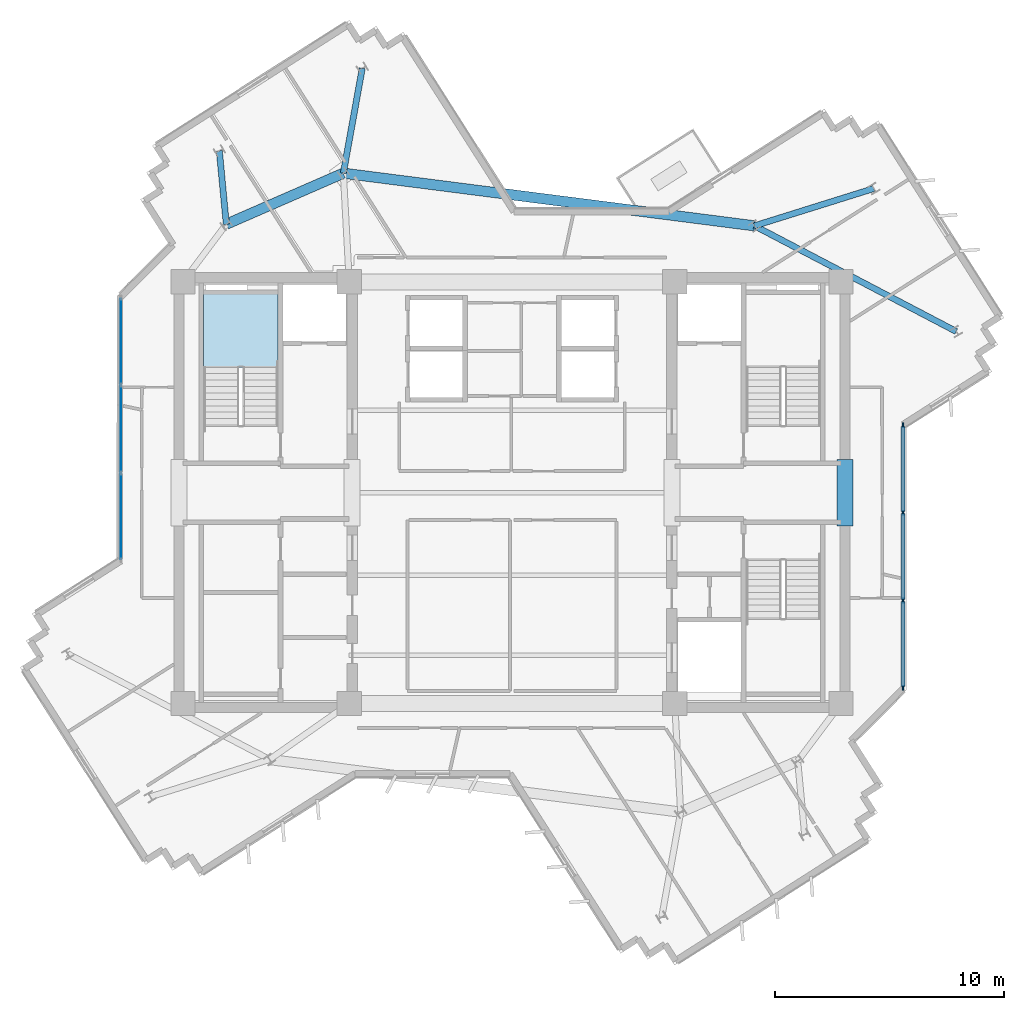
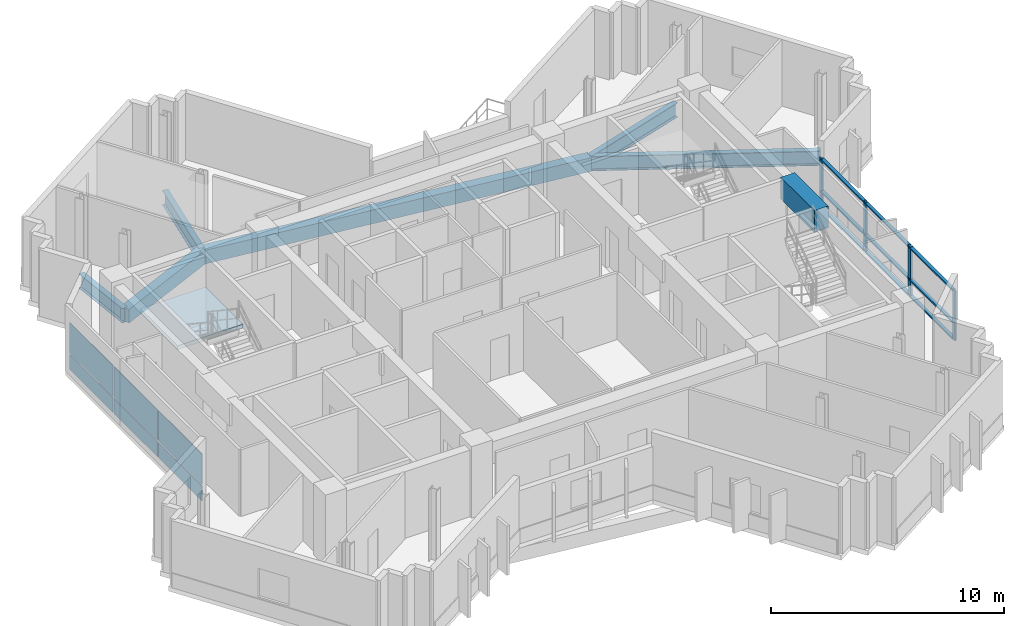
# One storey, part 3 of 12: 13 members, 7 beams, 6 plates, 1 slab, 3 elements without a shape of their own.
"""IFC4 building model written with IfcOpenShell, lengths in metres."""

from ifc_helpers import new_model, si_unit, direction, frame, origin, origin_2d, place, context, subcontext, project, spatial, polyline, rectangle, i_section, outline, extrude, source, transform, mapped, material, layer, layer_set, material_profile, profile_set, type_object, element, aggregate, save


model = new_model("IFC4")

# Units and contexts
model_context = context("Model", 3, precision=1e-05, world=origin(), true_north=direction((0.0, 1.0)))
body_context = subcontext(model_context, "Body", "Model", "MODEL_VIEW")
ifc_project = project(units=[si_unit("LENGTHUNIT", "METRE"), si_unit("AREAUNIT", "SQUARE_METRE"), si_unit("VOLUMEUNIT", "CUBIC_METRE"), si_unit("PLANEANGLEUNIT", "RADIAN"), si_unit("MASSUNIT", "GRAM", prefix="KILO")], contexts=[model_context])

# Site, building, storey
site_placement = place(None, origin())
site = spatial("IfcSite", under=ifc_project, at=site_placement, CompositionType="ELEMENT")
building_placement = place(site_placement, origin())
building = spatial("IfcBuilding", under=site, at=building_placement, Name="Zahravan Cultural Tower", CompositionType="ELEMENT")
storey_placement = place(building_placement, frame((0.0, 0.0, 261.60009765625)))
storey = spatial("IfcBuildingStorey", under=building, at=storey_placement, Name="L62", CompositionType="ELEMENT", Elevation=261.60009765625)

# Beams
ifc_material_1 = material(Name="Concrete C50/60", Category="concrete")
ifc_material_profile_1 = material_profile(ifc_material_1, rectangle(XDim=0.699951171875, YDim=1.14990234375, at=origin_2d()), Name="RC700X1150")
ifc_profile_set_1 = profile_set([ifc_material_profile_1], Name="Concrete C50/60")
beam_type_1 = type_object("IfcBeamType", Name="BM-LN-RC700X1150", PredefinedType="LINTEL", material=ifc_profile_set_1)
shared_shape_1 = source(origin(), body_context, "Body", "SweptSolid", [
    extrude(rectangle(XDim=0.699951171875, YDim=1.14990234375, at=origin_2d()), origin(), (0.0, 0.0, 1.0), 2.89990234375),
])
beam_1_placement = place(storey_placement, frame((50.52490234375, 25.550048828125, 2.9248046875), z_axis=(0.0, 1.0, 0.0), x_axis=(-1.0, 0.0, 0.0)))
element("IfcBeam", 1, at=beam_1_placement, inside=storey, type_object=beam_type_1, Name="L62 Beam LN-L62-PEE", PredefinedType="LINTEL", context=body_context, shape_type="MappedRepresentation", body=[
    mapped(shared_shape_1, transform((0.0, 0.0, 0.0), x_axis=(1.0, 0.0, 0.0), y_axis=(0.0, 1.0, 0.0), z_axis=(0.0, 0.0, 1.0), scale=1.0)),
])
ifc_material_2 = material(Name="Steel ASTM A992 Grade 50", Category="steel")
ifc_material_profile_2 = material_profile(ifc_material_2, i_section(OverallWidth=0.26708984375, OverallDepth=0.761962890625, WebThickness=0.014404296875, FlangeThickness=0.021484375, FilletRadius=0.01904296875, at=origin_2d()), Name="W30X116")
ifc_profile_set_2 = profile_set([ifc_material_profile_2], Name="Steel ASTM A992 Grade 50")
beam_type_2 = type_object("IfcBeamType", Name="BM-G-W30X116", PredefinedType="BEAM", material=ifc_profile_set_2)
shared_shape_2 = source(origin(), body_context, "Body", "SweptSolid", [
    extrude(i_section(OverallWidth=0.26708984375, OverallDepth=0.761962890625, WebThickness=0.014404296875, FlangeThickness=0.021484375, FilletRadius=0.01904296875, at=origin_2d()), origin(), (0.0, 0.0, 1.0), 9.935791015625),
])
beam_2_placement = place(storey_placement, frame((46.577880859375, 38.640625, -0.631103515625), z_axis=(0.885932031042, -0.463815088558, 0.0), x_axis=(0.463815088558, 0.885932031042, 0.0)))
element("IfcBeam", 2, at=beam_2_placement, inside=storey, type_object=beam_type_2, Name="L62 Beam BG-L62-12", PredefinedType="BEAM", context=body_context, shape_type="MappedRepresentation", body=[
    mapped(shared_shape_2, transform((0.0, 0.0, 0.0), x_axis=(1.0, 0.0, 0.0), y_axis=(0.0, 1.0, 0.0), z_axis=(0.0, 0.0, 1.0), scale=1.0)),
])
shared_shape_3 = source(origin(), body_context, "Body", "SweptSolid", [
    extrude(i_section(OverallWidth=0.26708984375, OverallDepth=0.761962890625, WebThickness=0.014404296875, FlangeThickness=0.021484375, FilletRadius=0.01904296875, at=origin_2d()), origin(), (0.0, 0.0, 1.0), 5.450927734375),
])
beam_3_placement = place(storey_placement, frame((46.577880859375, 38.640625, -0.631103515625), z_axis=(0.954416996605, 0.298476459025, 0.0), x_axis=(-0.298476459025, 0.954416996605, 0.0)))
element("IfcBeam", 3, at=beam_3_placement, inside=storey, type_object=beam_type_2, Name="L62 Beam BG-L62-13", PredefinedType="BEAM", context=body_context, shape_type="MappedRepresentation", body=[
    mapped(shared_shape_3, transform((0.0, 0.0, 0.0), x_axis=(1.0, 0.0, 0.0), y_axis=(0.0, 1.0, 0.0), z_axis=(0.0, 0.0, 1.0), scale=1.0)),
])
shared_shape_4 = source(origin(), body_context, "Body", "SweptSolid", [
    extrude(i_section(OverallWidth=0.26708984375, OverallDepth=0.761962890625, WebThickness=0.014404296875, FlangeThickness=0.021484375, FilletRadius=0.01904296875, at=origin_2d()), origin(), (0.0, 0.0, 1.0), 4.65087890625),
])
beam_4_placement = place(storey_placement, frame((28.642578125, 40.937255859375, -0.631103515625), z_axis=(0.177425522697, 0.984134230629, 0.0), x_axis=(-0.984134230629, 0.177425522697, 0.0)))
element("IfcBeam", 4, at=beam_4_placement, inside=storey, type_object=beam_type_2, Name="L62 Beam BG-L62-14", PredefinedType="BEAM", context=body_context, shape_type="MappedRepresentation", body=[
    mapped(shared_shape_4, transform((0.0, 0.0, 0.0), x_axis=(1.0, 0.0, 0.0), y_axis=(0.0, 1.0, 0.0), z_axis=(0.0, 0.0, 1.0), scale=1.0)),
])
shared_shape_5 = source(origin(), body_context, "Body", "SweptSolid", [
    extrude(i_section(OverallWidth=0.26708984375, OverallDepth=0.761962890625, WebThickness=0.014404296875, FlangeThickness=0.021484375, FilletRadius=0.01904296875, at=origin_2d()), origin(), (0.0, 0.0, 1.0), 3.218017578125),
])
beam_5_placement = place(storey_placement, frame((23.536376953125, 38.710693359375, -0.631103515625), z_axis=(-0.094454641962, 0.995529166128, 0.0), x_axis=(-0.995529166128, -0.094454641962, 0.0)))
element("IfcBeam", 5, at=beam_5_placement, inside=storey, type_object=beam_type_2, Name="L62 Beam BG-L62-15", PredefinedType="BEAM", context=body_context, shape_type="MappedRepresentation", body=[
    mapped(shared_shape_5, transform((0.0, 0.0, 0.0), x_axis=(1.0, 0.0, 0.0), y_axis=(0.0, 1.0, 0.0), z_axis=(0.0, 0.0, 1.0), scale=1.0)),
])
ifc_material_3 = material(Name="Concrete C45/55", Category="concrete")
ifc_material_profile_3 = material_profile(ifc_material_3, rectangle(XDim=0.449951171875, YDim=0.719970703125, at=origin_2d()), Name="RC450X720")
ifc_profile_set_3 = profile_set([ifc_material_profile_3], Name="Concrete C45/55")
beam_type_3 = type_object("IfcBeamType", Name="BM-SP-RC450X720", PredefinedType="SPANDREL", material=ifc_profile_set_3)
shared_shape_6 = source(origin(), body_context, "Body", "SweptSolid", [
    extrude(rectangle(XDim=0.449951171875, YDim=0.719970703125, at=origin_2d()), origin(), (0.0, 0.0, 1.0), 18.081787109375),
])
beam_6_placement = place(storey_placement, frame((46.577880859375, 38.640625, -0.610107421875), z_axis=(-0.991900954377, 0.127013765812, 0.0), x_axis=(-0.127013765812, -0.991900954377, 0.0)))
element("IfcBeam", 6, at=beam_6_placement, inside=storey, type_object=beam_type_3, Name="L62 Beam SP-L62-22", PredefinedType="SPANDREL", context=body_context, shape_type="MappedRepresentation", body=[
    mapped(shared_shape_6, transform((0.0, 0.0, 0.0), x_axis=(1.0, 0.0, 0.0), y_axis=(0.0, 1.0, 0.0), z_axis=(0.0, 0.0, 1.0), scale=1.0)),
])
shared_shape_7 = source(origin(), body_context, "Body", "SweptSolid", [
    extrude(rectangle(XDim=0.449951171875, YDim=0.719970703125, at=origin_2d()), origin(), (0.0, 0.0, 1.0), 5.570556640625),
])
beam_7_placement = place(storey_placement, frame((28.642578125, 40.937255859375, -0.610107421875), z_axis=(-0.9166445026, -0.399703459896, 0.0), x_axis=(0.399703459896, -0.9166445026, 0.0)))
element("IfcBeam", 7, at=beam_7_placement, inside=storey, type_object=beam_type_3, Name="L62 Beam SP-L62-23", PredefinedType="SPANDREL", context=body_context, shape_type="MappedRepresentation", body=[
    mapped(shared_shape_7, transform((0.0, 0.0, 0.0), x_axis=(1.0, 0.0, 0.0), y_axis=(0.0, 1.0, 0.0), z_axis=(0.0, 0.0, 1.0), scale=1.0)),
])

# Curtain wall, members
ifc_material_4 = material(Name="Anodised bronze-aluminium mullion", Category="aluminium")
ifc_layer_1 = layer(ifc_material_4, 0.219970703125)
ifc_layer_set_1 = layer_set([ifc_layer_1], Name="Anodised bronze-aluminium mullion")
curtain_wall_type_1 = type_object("IfcCurtainWallType", Name="CW-SYS-1", PredefinedType="USERDEFINED", material=ifc_layer_set_1)
curtain_wall_1_placement = place(storey_placement, origin())
curtain_wall_1 = element("IfcCurtainWall", 8, at=curtain_wall_1_placement, inside=storey, type_object=curtain_wall_type_1, Name="L62 Recessed Curtain Wall CW-1.1", ObjectType="RECESSED GLAZING", PredefinedType="USERDEFINED")
ifc_material_profile_4 = material_profile(ifc_material_4, rectangle(XDim=0.080078125, YDim=0.219970703125, at=origin_2d()), Name="AL-M80X220")
ifc_profile_set_4 = profile_set([ifc_material_profile_4], Name="Anodised bronze-aluminium mullion")
member_type_1 = type_object("IfcMemberType", Name="CWM-CW-1", PredefinedType="MULLION", material=ifc_profile_set_4)
shared_shape_8 = source(origin(), body_context, "Body", "SweptSolid", [
    extrude(rectangle(XDim=0.080078125, YDim=0.219970703125, at=origin_2d()), origin(), (0.0, 0.0, 1.0), 2.619873046875),
])
member_1_placement = place(storey_placement, frame((53.06005859375, 29.931640625, 0.0), z_axis=(0.0, 0.0, 1.0), x_axis=(1.0, 0.0, 0.0)))
member_1 = element("IfcMember", 9, at=member_1_placement, type_object=member_type_1, Name="CW-1 mullion 1", PredefinedType="MULLION", context=body_context, shape_type="MappedRepresentation", body=[
    mapped(shared_shape_8, transform((0.0, 0.0, 0.0), x_axis=(1.0, 0.0, 0.0), y_axis=(0.0, 1.0, 0.0), z_axis=(0.0, 0.0, 1.0), scale=1.0)),
])
member_2_placement = place(storey_placement, frame((53.06005859375, 26.1337890625, 0.0), z_axis=(0.0, 0.0, 1.0), x_axis=(1.0, 0.0, 0.0)))
member_2 = element("IfcMember", 10, at=member_2_placement, type_object=member_type_1, Name="CW-1 mullion 2", PredefinedType="MULLION", context=body_context, shape_type="MappedRepresentation", body=[
    mapped(shared_shape_8, transform((0.0, 0.0, 0.0), x_axis=(1.0, 0.0, 0.0), y_axis=(0.0, 1.0, 0.0), z_axis=(0.0, 0.0, 1.0), scale=1.0)),
])
member_3_placement = place(storey_placement, frame((53.06005859375, 22.2958984375, 0.0), z_axis=(0.0, 0.0, 1.0), x_axis=(1.0, 0.0, 0.0)))
member_3 = element("IfcMember", 11, at=member_3_placement, type_object=member_type_1, Name="CW-1 mullion 3", PredefinedType="MULLION", context=body_context, shape_type="MappedRepresentation", body=[
    mapped(shared_shape_8, transform((0.0, 0.0, 0.0), x_axis=(1.0, 0.0, 0.0), y_axis=(0.0, 1.0, 0.0), z_axis=(0.0, 0.0, 1.0), scale=1.0)),
])
member_4_placement = place(storey_placement, frame((53.06005859375, 18.498046875, 0.0), z_axis=(0.0, 0.0, 1.0), x_axis=(1.0, 0.0, 0.0)))
member_4 = element("IfcMember", 12, at=member_4_placement, type_object=member_type_1, Name="CW-1 mullion 4", PredefinedType="MULLION", context=body_context, shape_type="MappedRepresentation", body=[
    mapped(shared_shape_8, transform((0.0, 0.0, 0.0), x_axis=(1.0, 0.0, 0.0), y_axis=(0.0, 1.0, 0.0), z_axis=(0.0, 0.0, 1.0), scale=1.0)),
])
ifc_material_profile_5 = material_profile(ifc_material_4, rectangle(XDim=0.159912109375, YDim=0.080078125, at=origin_2d()), Name="AL-T80X160")
ifc_profile_set_5 = profile_set([ifc_material_profile_5], Name="Anodised bronze-aluminium mullion")
member_type_2 = type_object("IfcMemberType", Name="CWT-CW-1", PredefinedType="USERDEFINED", material=ifc_profile_set_5)
shared_shape_9 = source(origin(), body_context, "Body", "SweptSolid", [
    extrude(rectangle(XDim=0.159912109375, YDim=0.080078125, at=origin_2d()), origin(), (0.0, 0.0, 1.0), 3.7177734375),
])
member_5_placement = place(storey_placement, frame((53.06005859375, 29.8916015625, 0.039794921875), z_axis=(0.0, -1.0, 0.0), x_axis=(1.0, 0.0, 0.0)))
member_5 = element("IfcMember", 13, at=member_5_placement, type_object=member_type_2, Name="CW-1 transom 1.1", ObjectType="TRANSOM", PredefinedType="USERDEFINED", context=body_context, shape_type="MappedRepresentation", body=[
    mapped(shared_shape_9, transform((0.0, 0.0, 0.0), x_axis=(1.0, 0.0, 0.0), y_axis=(0.0, 1.0, 0.0), z_axis=(0.0, 0.0, 1.0), scale=1.0)),
])
member_6_placement = place(storey_placement, frame((53.06005859375, 29.8916015625, 0.89990234375), z_axis=(0.0, -1.0, 0.0), x_axis=(1.0, 0.0, 0.0)))
member_6 = element("IfcMember", 14, at=member_6_placement, type_object=member_type_2, Name="CW-1 transom 1.2", ObjectType="TRANSOM", PredefinedType="USERDEFINED", context=body_context, shape_type="MappedRepresentation", body=[
    mapped(shared_shape_9, transform((0.0, 0.0, 0.0), x_axis=(1.0, 0.0, 0.0), y_axis=(0.0, 1.0, 0.0), z_axis=(0.0, 0.0, 1.0), scale=1.0)),
])
member_7_placement = place(storey_placement, frame((53.06005859375, 29.8916015625, 2.579833984375), z_axis=(0.0, -1.0, 0.0), x_axis=(1.0, 0.0, 0.0)))
member_7 = element("IfcMember", 15, at=member_7_placement, type_object=member_type_2, Name="CW-1 transom 1.3", ObjectType="TRANSOM", PredefinedType="USERDEFINED", context=body_context, shape_type="MappedRepresentation", body=[
    mapped(shared_shape_9, transform((0.0, 0.0, 0.0), x_axis=(1.0, 0.0, 0.0), y_axis=(0.0, 1.0, 0.0), z_axis=(0.0, 0.0, 1.0), scale=1.0)),
])
member_8_placement = place(storey_placement, frame((53.06005859375, 22.255859375, 0.039794921875), z_axis=(0.0, -1.0, 0.0), x_axis=(1.0, 0.0, 0.0)))
member_8 = element("IfcMember", 16, at=member_8_placement, type_object=member_type_2, Name="CW-1 transom 3.1", ObjectType="TRANSOM", PredefinedType="USERDEFINED", context=body_context, shape_type="MappedRepresentation", body=[
    mapped(shared_shape_9, transform((0.0, 0.0, 0.0), x_axis=(1.0, 0.0, 0.0), y_axis=(0.0, 1.0, 0.0), z_axis=(0.0, 0.0, 1.0), scale=1.0)),
])
member_9_placement = place(storey_placement, frame((53.06005859375, 22.255859375, 0.89990234375), z_axis=(0.0, -1.0, 0.0), x_axis=(1.0, 0.0, 0.0)))
member_9 = element("IfcMember", 17, at=member_9_placement, type_object=member_type_2, Name="CW-1 transom 3.2", ObjectType="TRANSOM", PredefinedType="USERDEFINED", context=body_context, shape_type="MappedRepresentation", body=[
    mapped(shared_shape_9, transform((0.0, 0.0, 0.0), x_axis=(1.0, 0.0, 0.0), y_axis=(0.0, 1.0, 0.0), z_axis=(0.0, 0.0, 1.0), scale=1.0)),
])
member_10_placement = place(storey_placement, frame((53.06005859375, 22.255859375, 2.579833984375), z_axis=(0.0, -1.0, 0.0), x_axis=(1.0, 0.0, 0.0)))
member_10 = element("IfcMember", 18, at=member_10_placement, type_object=member_type_2, Name="CW-1 transom 3.3", ObjectType="TRANSOM", PredefinedType="USERDEFINED", context=body_context, shape_type="MappedRepresentation", body=[
    mapped(shared_shape_9, transform((0.0, 0.0, 0.0), x_axis=(1.0, 0.0, 0.0), y_axis=(0.0, 1.0, 0.0), z_axis=(0.0, 0.0, 1.0), scale=1.0)),
])
shared_shape_10 = source(origin(), body_context, "Body", "SweptSolid", [
    extrude(rectangle(XDim=0.159912109375, YDim=0.080078125, at=origin_2d()), origin(), (0.0, 0.0, 1.0), 3.7578125),
])
member_11_placement = place(storey_placement, frame((53.06005859375, 26.09375, 0.039794921875), z_axis=(0.0, -1.0, 0.0), x_axis=(1.0, 0.0, 0.0)))
member_11 = element("IfcMember", 19, at=member_11_placement, type_object=member_type_2, Name="CW-1 transom 2.1", ObjectType="TRANSOM", PredefinedType="USERDEFINED", context=body_context, shape_type="MappedRepresentation", body=[
    mapped(shared_shape_10, transform((0.0, 0.0, 0.0), x_axis=(1.0, 0.0, 0.0), y_axis=(0.0, 1.0, 0.0), z_axis=(0.0, 0.0, 1.0), scale=1.0)),
])
member_12_placement = place(storey_placement, frame((53.06005859375, 26.09375, 0.89990234375), z_axis=(0.0, -1.0, 0.0), x_axis=(1.0, 0.0, 0.0)))
member_12 = element("IfcMember", 20, at=member_12_placement, type_object=member_type_2, Name="CW-1 transom 2.2", ObjectType="TRANSOM", PredefinedType="USERDEFINED", context=body_context, shape_type="MappedRepresentation", body=[
    mapped(shared_shape_10, transform((0.0, 0.0, 0.0), x_axis=(1.0, 0.0, 0.0), y_axis=(0.0, 1.0, 0.0), z_axis=(0.0, 0.0, 1.0), scale=1.0)),
])
member_13_placement = place(storey_placement, frame((53.06005859375, 26.09375, 2.579833984375), z_axis=(0.0, -1.0, 0.0), x_axis=(1.0, 0.0, 0.0)))
member_13 = element("IfcMember", 21, at=member_13_placement, type_object=member_type_2, Name="CW-1 transom 2.3", ObjectType="TRANSOM", PredefinedType="USERDEFINED", context=body_context, shape_type="MappedRepresentation", body=[
    mapped(shared_shape_10, transform((0.0, 0.0, 0.0), x_axis=(1.0, 0.0, 0.0), y_axis=(0.0, 1.0, 0.0), z_axis=(0.0, 0.0, 1.0), scale=1.0)),
])
aggregate(curtain_wall_1, [member_1, member_2, member_3, member_4, member_5, member_6, member_7, member_11, member_12, member_13, member_8, member_9, member_10])

# Stair, slab
stair_type = type_object("IfcStairType", Name="STR-DL-1550-375", PredefinedType="HALF_TURN_STAIR", material=ifc_material_3)
stair_placement = place(storey_placement, origin())
stair = element("IfcStair", 22, at=stair_placement, inside=storey, type_object=stair_type, Name="L62 West Core North Exit Stair ST-W1", PredefinedType="HALF_TURN_STAIR")
ifc_layer_2 = layer(ifc_material_3, 0.199951171875)
ifc_layer_set_2 = layer_set([ifc_layer_2], Name="Concrete C45/55")
slab_type = type_object("IfcSlabType", Name="SL-STAIR-LND200", PredefinedType="LANDING", material=ifc_layer_set_2)
slab_placement = place(storey_placement, frame((0.0, 0.0, 1.6748046875)))
slab = element("IfcSlab", 23, at=slab_placement, type_object=slab_type, Name="ST-W1 landing 1", PredefinedType="LANDING", context=body_context, shape_type="SweptSolid", body=[
    extrude(outline(polyline([(25.800048828125, 32.469970703125), (25.800048828125, 35.699951171875), (22.550048828125, 35.699951171875), (22.550048828125, 32.469970703125), (25.800048828125, 32.469970703125)])), origin(), (0.0, 0.0, 1.0), 0.2001953125),
])
aggregate(stair, [slab])

# Curtain wall, plates
ifc_layer_3 = layer(ifc_material_4, 0.199951171875)
ifc_layer_set_3 = layer_set([ifc_layer_3], Name="Anodised bronze-aluminium mullion")
curtain_wall_type_2 = type_object("IfcCurtainWallType", Name="CW-SYS-2", PredefinedType="USERDEFINED", material=ifc_layer_set_3)
curtain_wall_2_placement = place(storey_placement, origin())
curtain_wall_2 = element("IfcCurtainWall", 24, at=curtain_wall_2_placement, inside=storey, type_object=curtain_wall_type_2, Name="L62 Recessed Curtain Wall CW-2.2", ObjectType="RECESSED GLAZING", PredefinedType="USERDEFINED")
ifc_material_5 = material(Name="Low-E solar-control double glazing", Category="glass")
ifc_layer_4 = layer(ifc_material_5, 0.030029296875)
ifc_layer_set_4 = layer_set([ifc_layer_4], Name="Low-E solar-control double glazing")
plate_type = type_object("IfcPlateType", Name="CWP-CW-2", PredefinedType="CURTAIN_PANEL", material=ifc_layer_set_4)
shared_shape_11 = source(origin(), body_context, "Body", "SweptSolid", [
    extrude(rectangle(XDim=3.725341796875, YDim=0.030029296875, at=origin_2d()), origin(), (0.0, 0.0, 1.0), 0.78759765625),
])
plate_1_placement = place(storey_placement, frame((18.93994140625, 25.966064453125, 0.074951171875), z_axis=(0.0, 0.0, 1.0), x_axis=(0.0, 1.0, 0.0)))
plate_1 = element("IfcPlate", 25, at=plate_1_placement, type_object=plate_type, Name="CW-2 panel 1.1", PredefinedType="CURTAIN_PANEL", context=body_context, shape_type="MappedRepresentation", body=[
    mapped(shared_shape_11, transform((0.0, 0.0, 0.0), x_axis=(1.0, 0.0, 0.0), y_axis=(0.0, 1.0, 0.0), z_axis=(0.0, 0.0, 1.0), scale=1.0)),
])
plate_2_placement = place(storey_placement, frame((18.93994140625, 33.604248046875, 0.074951171875), z_axis=(0.0, 0.0, 1.0), x_axis=(0.0, 1.0, 0.0)))
plate_2 = element("IfcPlate", 26, at=plate_2_placement, type_object=plate_type, Name="CW-2 panel 3.1", PredefinedType="CURTAIN_PANEL", context=body_context, shape_type="MappedRepresentation", body=[
    mapped(shared_shape_11, transform((0.0, 0.0, 0.0), x_axis=(1.0, 0.0, 0.0), y_axis=(0.0, 1.0, 0.0), z_axis=(0.0, 0.0, 1.0), scale=1.0)),
])
shared_shape_12 = source(origin(), body_context, "Body", "SweptSolid", [
    extrude(rectangle(XDim=3.725341796875, YDim=0.030029296875, at=origin_2d()), origin(), (0.0, 0.0, 1.0), 1.607421875),
])
plate_3_placement = place(storey_placement, frame((18.93994140625, 25.966064453125, 0.9375), z_axis=(0.0, 0.0, 1.0), x_axis=(0.0, 1.0, 0.0)))
plate_3 = element("IfcPlate", 27, at=plate_3_placement, type_object=plate_type, Name="CW-2 panel 1.2", PredefinedType="CURTAIN_PANEL", context=body_context, shape_type="MappedRepresentation", body=[
    mapped(shared_shape_12, transform((0.0, 0.0, 0.0), x_axis=(1.0, 0.0, 0.0), y_axis=(0.0, 1.0, 0.0), z_axis=(0.0, 0.0, 1.0), scale=1.0)),
])
plate_4_placement = place(storey_placement, frame((18.93994140625, 33.604248046875, 0.9375), z_axis=(0.0, 0.0, 1.0), x_axis=(0.0, 1.0, 0.0)))
plate_4 = element("IfcPlate", 28, at=plate_4_placement, type_object=plate_type, Name="CW-2 panel 3.2", PredefinedType="CURTAIN_PANEL", context=body_context, shape_type="MappedRepresentation", body=[
    mapped(shared_shape_12, transform((0.0, 0.0, 0.0), x_axis=(1.0, 0.0, 0.0), y_axis=(0.0, 1.0, 0.0), z_axis=(0.0, 0.0, 1.0), scale=1.0)),
])
shared_shape_13 = source(origin(), body_context, "Body", "SweptSolid", [
    extrude(rectangle(XDim=3.762939453125, YDim=0.030029296875, at=origin_2d()), origin(), (0.0, 0.0, 1.0), 0.78759765625),
])
plate_5_placement = place(storey_placement, frame((18.93994140625, 29.78515625, 0.074951171875), z_axis=(0.0, 0.0, 1.0), x_axis=(0.0, 1.0, 0.0)))
plate_5 = element("IfcPlate", 29, at=plate_5_placement, type_object=plate_type, Name="CW-2 panel 2.1", PredefinedType="CURTAIN_PANEL", context=body_context, shape_type="MappedRepresentation", body=[
    mapped(shared_shape_13, transform((0.0, 0.0, 0.0), x_axis=(1.0, 0.0, 0.0), y_axis=(0.0, 1.0, 0.0), z_axis=(0.0, 0.0, 1.0), scale=1.0)),
])
shared_shape_14 = source(origin(), body_context, "Body", "SweptSolid", [
    extrude(rectangle(XDim=3.762939453125, YDim=0.030029296875, at=origin_2d()), origin(), (0.0, 0.0, 1.0), 1.607421875),
])
plate_6_placement = place(storey_placement, frame((18.93994140625, 29.78515625, 0.9375), z_axis=(0.0, 0.0, 1.0), x_axis=(0.0, 1.0, 0.0)))
plate_6 = element("IfcPlate", 30, at=plate_6_placement, type_object=plate_type, Name="CW-2 panel 2.2", PredefinedType="CURTAIN_PANEL", context=body_context, shape_type="MappedRepresentation", body=[
    mapped(shared_shape_14, transform((0.0, 0.0, 0.0), x_axis=(1.0, 0.0, 0.0), y_axis=(0.0, 1.0, 0.0), z_axis=(0.0, 0.0, 1.0), scale=1.0)),
])
aggregate(curtain_wall_2, [plate_1, plate_3, plate_5, plate_6, plate_2, plate_4])

save(model, "model.ifc")
